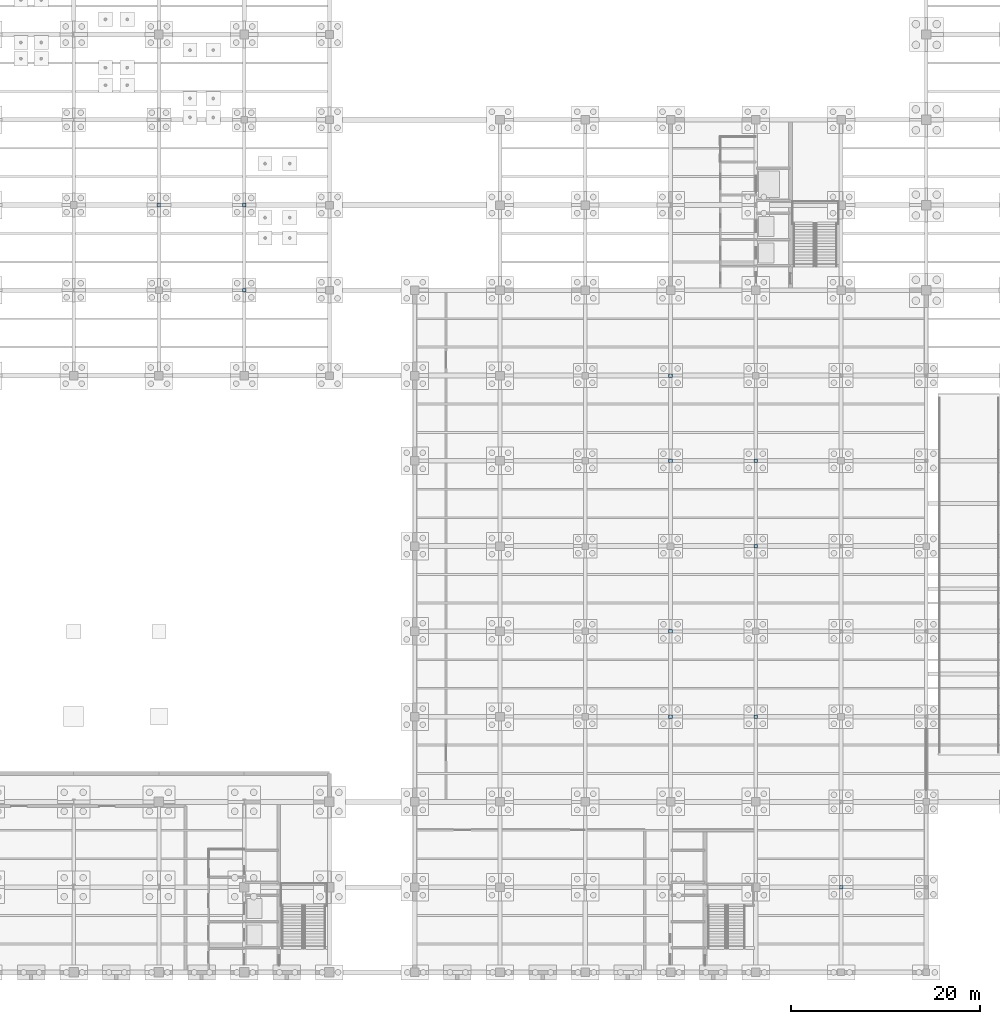
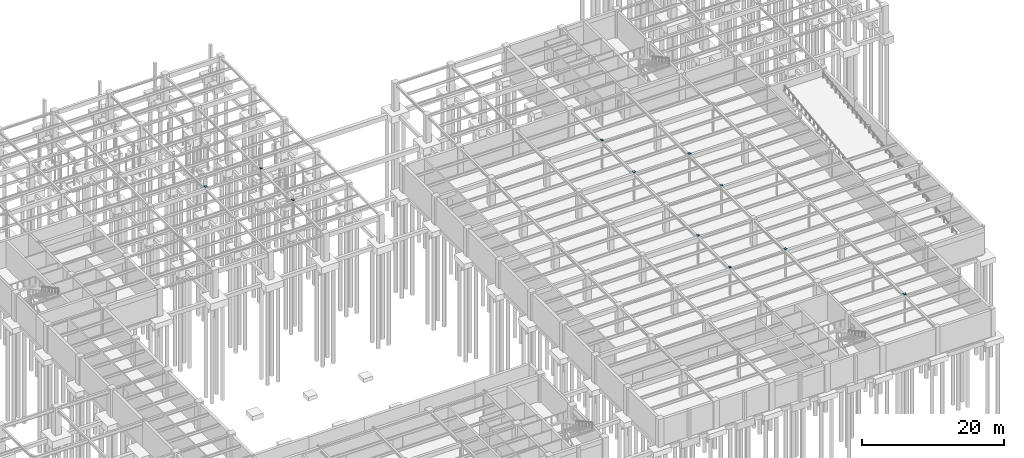
# One storey, part 38 of 49: 11 plates.
"""IFC4 building model written with IfcOpenShell, lengths in metres."""

from ifc_helpers import new_model, si_unit, direction, frame, origin, origin_2d, place, context, subcontext, project, spatial, rectangle, extrude, material, layer, layer_set, type_object, element, save


model = new_model("IFC4")

# Units and contexts
model_context = context("Model", 3, precision=1e-05, world=origin(), true_north=direction((0.0, 1.0)))
body_context = subcontext(model_context, "Body", "Model", "MODEL_VIEW")
ifc_project = project(units=[si_unit("LENGTHUNIT", "METRE"), si_unit("AREAUNIT", "SQUARE_METRE"), si_unit("VOLUMEUNIT", "CUBIC_METRE"), si_unit("PLANEANGLEUNIT", "RADIAN"), si_unit("MASSUNIT", "GRAM", prefix="KILO")], contexts=[model_context])

# Site, building, storey
site_placement = place(None, origin())
site = spatial("IfcSite", under=ifc_project, at=site_placement, CompositionType="ELEMENT")
building_placement = place(site_placement, origin())
building = spatial("IfcBuilding", under=site, at=building_placement, Name="Lykobir Media Centre", CompositionType="ELEMENT")
storey_placement = place(building_placement, frame((0.0, 0.0, -4.800048828125)))
storey = spatial("IfcBuildingStorey", under=building, at=storey_placement, Name="B1", CompositionType="ELEMENT", Elevation=-4.800048828125)

# Plates
ifc_material = material(Name="Steel S355", Category="steel")
ifc_layer = layer(ifc_material, 0.02197265625, Name="Steel S355")
ifc_layer_set = layer_set([ifc_layer], Name="Steel S355")
plate_type = type_object("IfcPlateType", Name="CP-360", PredefinedType="SHEET", material=ifc_layer_set)
for number, where, z_axis, x_axis, name in (
    (1, (63.0, 81.0, 4.800048828125), (0.0, 0.0, 1.0), (1.0, 0.0, 0.0), "Structural plate PLT-B1-0630-0810-0000"),
    (2, (72.0, 72.0, 4.800048828125), (0.0, 0.0, 1.0), (1.0, 0.0, 0.0), "Structural plate PLT-B1-0720-0720-0000"),
    (3, (72.0, 81.0, 4.800048828125), (0.0, 0.0, 1.0), (1.0, 0.0, 0.0), "Structural plate PLT-B1-0720-0810-0000"),
    (4, (117.0, 27.0, 4.800048828125), (0.0, 0.0, 1.0), (1.0, 0.0, 0.0), "Structural plate PLT-B1-1170-0270-0000"),
    (5, (117.0, 36.0, 4.800048828125), (0.0, 0.0, 1.0), (1.0, 0.0, 0.0), "Structural plate PLT-B1-1170-0360-0000"),
    (6, (117.0, 54.0, 4.800048828125), (0.0, 0.0, 1.0), (1.0, 0.0, 0.0), "Structural plate PLT-B1-1170-0540-0000"),
    (7, (117.0, 63.0, 4.800048828125), (0.0, 0.0, 1.0), (1.0, 0.0, 0.0), "Structural plate PLT-B1-1170-0630-0000"),
    (8, (126.0, 27.0, 4.800048828125), (0.0, 0.0, 1.0), (1.0, 0.0, 0.0), "Structural plate PLT-B1-1260-0270-0000"),
    (9, (126.0, 45.0, 4.800048828125), (0.0, 0.0, 1.0), (1.0, 0.0, 0.0), "Structural plate PLT-B1-1260-0450-0000"),
    (10, (126.0, 54.0, 4.800048828125), (0.0, 0.0, 1.0), (1.0, 0.0, 0.0), "Structural plate PLT-B1-1260-0540-0000"),
    (11, (135.0, 9.0, 4.800048828125), (0.0, 0.0, 1.0), (1.0, 0.0, 0.0), "Structural plate PLT-B1-1350-0090-0000"),
):
    element("IfcPlate", number, at=place(storey_placement, frame(where, z_axis=z_axis, x_axis=x_axis)), inside=storey, type_object=plate_type, Name=name, PredefinedType="SHEET", context=body_context, shape_type="SweptSolid", body=[
        extrude(rectangle(XDim=0.3798828125, YDim=0.3798828125, at=origin_2d()), origin(), (0.0, 0.0, 1.0), 0.02197265625),
    ])

save(model, "model.ifc")
